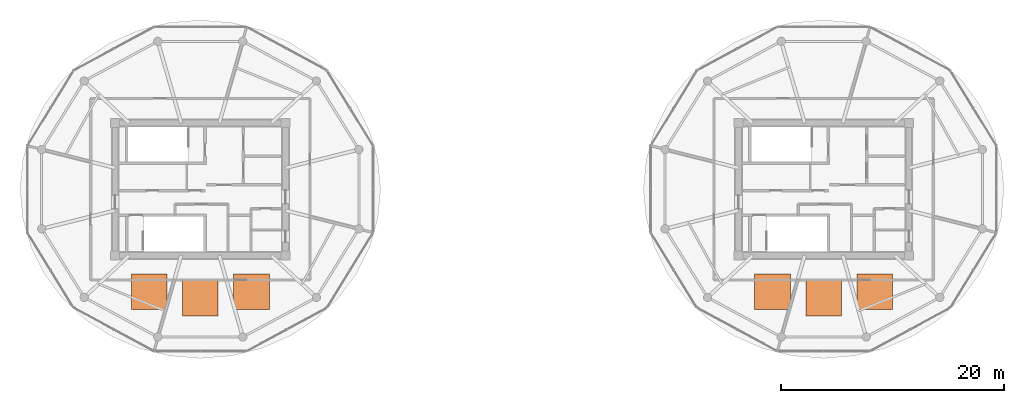
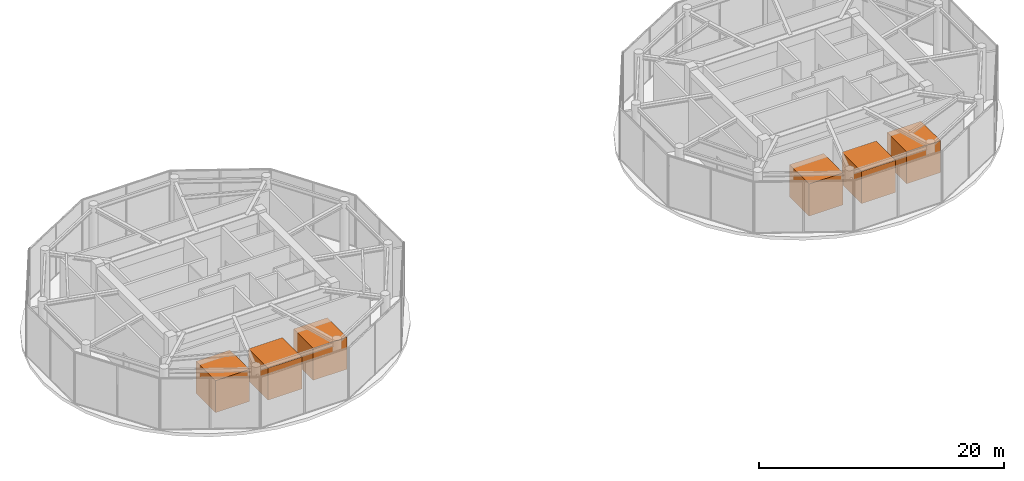
# One storey, part 15 of 15: 6 proxies.
"""IFC4 building model written with IfcOpenShell, lengths in metres."""

from ifc_helpers import new_model, si_unit, direction, frame, origin, origin_2d, place, context, subcontext, project, spatial, rectangle, extrude, source, transform, mapped, material, type_object, type_shapes, element, save


model = new_model("IFC4")

# Units and contexts
model_context = context("Model", 3, precision=1e-05, world=origin(), true_north=direction((0.0, 1.0)))
body_context = subcontext(model_context, "Body", "Model", "MODEL_VIEW")
ifc_project = project(units=[si_unit("LENGTHUNIT", "METRE"), si_unit("AREAUNIT", "SQUARE_METRE"), si_unit("VOLUMEUNIT", "CUBIC_METRE"), si_unit("PLANEANGLEUNIT", "RADIAN"), si_unit("MASSUNIT", "GRAM", prefix="KILO")], contexts=[model_context])

# Site, building, storey
site_placement = place(None, origin())
site = spatial("IfcSite", under=ifc_project, at=site_placement, CompositionType="ELEMENT")
building_placement = place(site_placement, origin())
building = spatial("IfcBuilding", under=site, at=building_placement, Name="Norrkilde Senior Care Towers", CompositionType="ELEMENT")
storey_placement = place(building_placement, frame((0.0, 0.0, 244.39990234375)))
storey = spatial("IfcBuildingStorey", under=building, at=storey_placement, Name="L76", CompositionType="ELEMENT", Elevation=244.39990234375)

# Proxies
ifc_material = material(Name="Steel S355", Category="steel")
building_element_proxy_type = type_object("IfcBuildingElementProxyType", Name="Tuned Mass Damper Assembly", PredefinedType="USERDEFINED", material=ifc_material)
shared_shape = source(origin(), body_context, "Body", "SweptSolid", [
    extrude(rectangle(XDim=3.199951171875, YDim=3.199951171875, at=origin_2d()), origin(), (0.0, 0.0, 1.0), 3.199951171875),
])
type_shapes(building_element_proxy_type, [shared_shape])
for number, where, z_axis, x_axis, name in (
    (1, (-28.0, -9.800048828125, 0.0), (0.0, 0.0, 1.0), (1.0, 0.0, 0.0), "L76 Tuned Mass Damper Unit W-1"),
    (2, (-32.60009765625, -9.199951171875, 0.0), (0.0, 0.0, 1.0), (1.0, 0.0, 0.0), "L76 Tuned Mass Damper Unit W-2"),
    (3, (-23.39990234375, -9.199951171875, 0.0), (0.0, 0.0, 1.0), (1.0, 0.0, 0.0), "L76 Tuned Mass Damper Unit W-3"),
    (4, (28.0, -9.800048828125, 0.0), (0.0, 0.0, 1.0), (1.0, 0.0, 0.0), "L76 Tuned Mass Damper Unit E-1"),
    (5, (23.39990234375, -9.199951171875, 0.0), (0.0, 0.0, 1.0), (1.0, 0.0, 0.0), "L76 Tuned Mass Damper Unit E-2"),
    (6, (32.60009765625, -9.199951171875, 0.0), (0.0, 0.0, 1.0), (1.0, 0.0, 0.0), "L76 Tuned Mass Damper Unit E-3"),
):
    element("IfcBuildingElementProxy", number, at=place(storey_placement, frame(where, z_axis=z_axis, x_axis=x_axis)), inside=storey, type_object=building_element_proxy_type, Name=name, ObjectType="DAMPER", PredefinedType="USERDEFINED", context=body_context, shape_type="MappedRepresentation", body=[
        mapped(shared_shape, transform((0.0, 0.0, 0.0), x_axis=(1.0, 0.0, 0.0), y_axis=(0.0, 1.0, 0.0), z_axis=(0.0, 0.0, 1.0), scale=1.0)),
    ])

save(model, "model.ifc")
